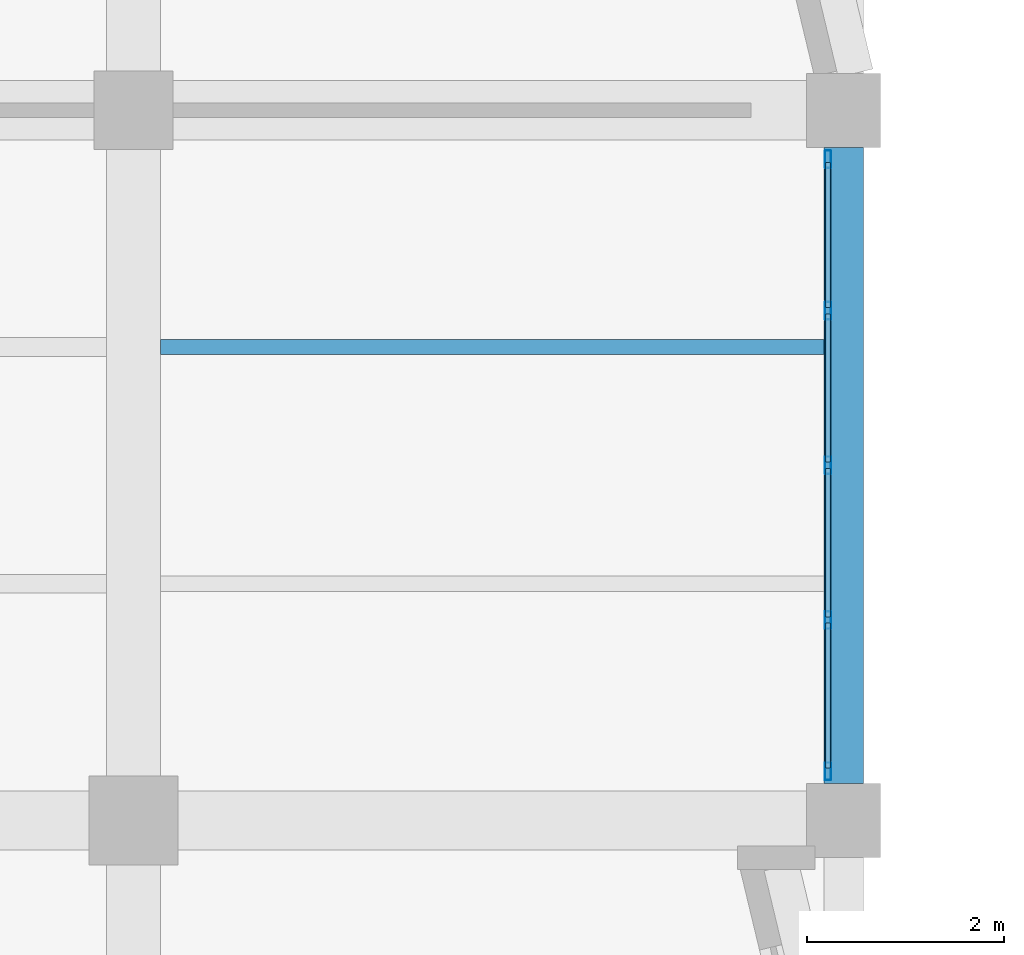
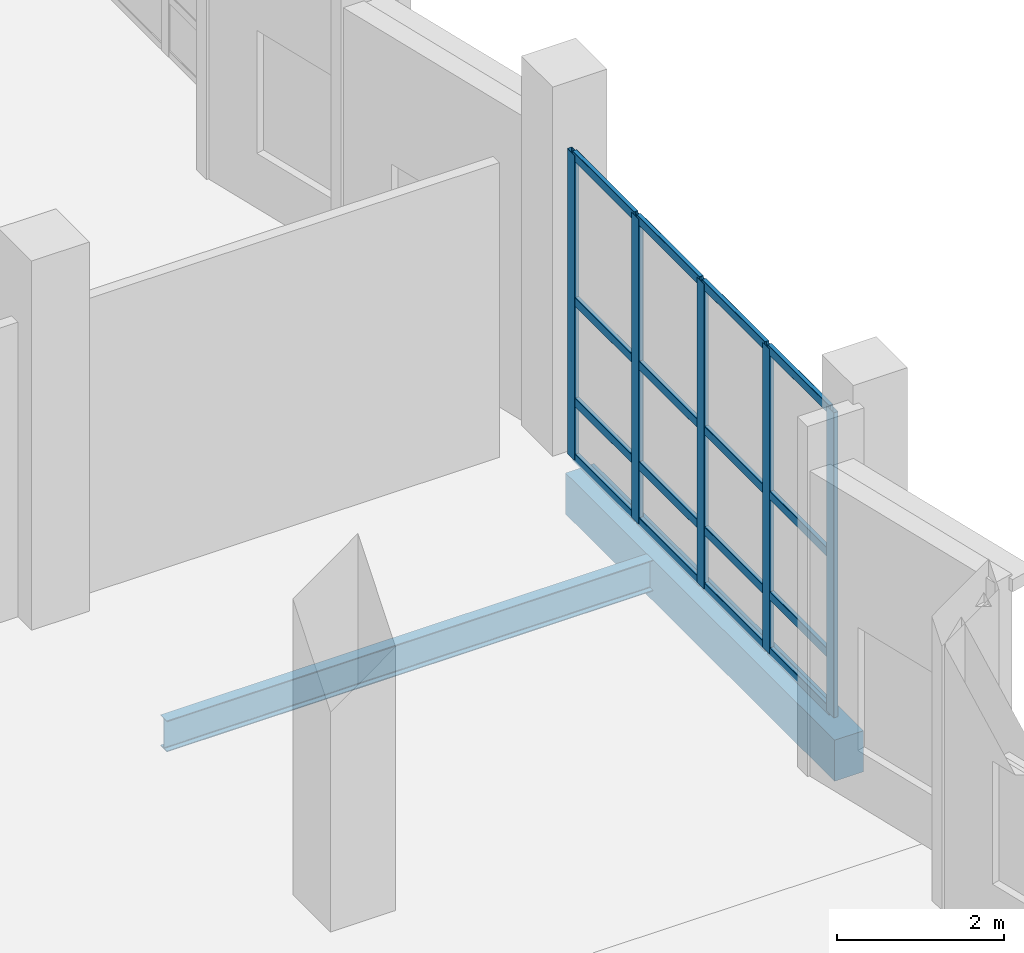
# One storey, part 44 of 137: 21 members, 2 beams, 1 element without a shape of its own.
"""IFC4 building model written with IfcOpenShell, lengths in metres."""

import ifcopenshell
import ifcopenshell.guid

model = None  # the IFC model being written
_history = None  # IfcOwnerHistory: only IFC2X3 demands one
_inside = {}  # id of a spatial element -> (the spatial element, [elements in it])
_under = {}  # id of a project, library or spatial element -> (it, [spatial elements below it])
_declared = {}  # id of a project -> (the project, [libraries it declares])
_typed = {}  # id of a type object -> (the type object, [elements of that type])
_made_of = {}  # id of a material, layer set ... -> (it, [elements and type objects made of it])


def new_model(schema):
    """Start an empty IFC model of exactly this schema.

    Asked for "IFC4X3", IfcOpenShell would pick the latest addendum, in which some entities
    have other attributes; the version numbers below select the first issue.
    IFC2X3 requires an IfcOwnerHistory on every rooted entity: one is made here for all.
    """
    global model, _history
    if schema == "IFC4X3":
        model = ifcopenshell.file(schema_version=(4, 3, 0, 0))
    else:
        model = ifcopenshell.file(schema=schema)
    _inside.clear()
    _under.clear()
    _declared.clear()
    _typed.clear()
    _made_of.clear()
    _history = None
    if model.schema == "IFC2X3":
        org = make("IfcOrganization", Name="unknown")
        user = make(
            "IfcPersonAndOrganization",
            ThePerson=make("IfcPerson", FamilyName="unknown"),
            TheOrganization=org,
        )
        app = make(
            "IfcApplication",
            ApplicationDeveloper=org,
            Version="unknown",
            ApplicationFullName="unknown",
            ApplicationIdentifier="unknown",
        )
        _history = make(
            "IfcOwnerHistory",
            OwningUser=user,
            OwningApplication=app,
            ChangeAction="ADDED",
            CreationDate=0,
        )
    return model


def make(cls, **values):
    """One entity of the class cls with the attributes given. An attribute that is None is left unset."""
    return model.create_entity(
        cls, **{name: value for name, value in values.items() if value is not None}
    )


def rooted(cls, **values):
    """An entity with a GlobalId (a new one), such as an element, a storey or a relation."""
    return make(cls, GlobalId=ifcopenshell.guid.new(), OwnerHistory=_history, **values)


def si_unit(unit_type, name, prefix=None):
    """IfcSIUnit, for example si_unit("LENGTHUNIT", "METRE", prefix="MILLI")."""
    return make("IfcSIUnit", UnitType=unit_type, Prefix=prefix, Name=name)


def assignment(units):
    """IfcUnitAssignment: the units of a project."""
    return None if units is None else make("IfcUnitAssignment", Units=units)


def point(xyz):
    """IfcCartesianPoint."""
    return None if xyz is None else make("IfcCartesianPoint", Coordinates=xyz)


def direction(xyz):
    """IfcDirection."""
    return None if xyz is None else make("IfcDirection", DirectionRatios=xyz)


def frame(location, z_axis=None, x_axis=None):
    """IfcAxis2Placement3D, a coordinate frame: its origin and axes. An axis left out is left unset."""
    return make(
        "IfcAxis2Placement3D",
        Location=point(location),
        Axis=direction(z_axis),
        RefDirection=direction(x_axis),
    )


def frame_2d(location, x_axis=None):
    """IfcAxis2Placement2D, a coordinate frame in the plane: its origin and x axis."""
    return make(
        "IfcAxis2Placement2D", Location=point(location), RefDirection=direction(x_axis)
    )


def origin():
    """The frame at (0, 0, 0) with its axes left unset."""
    return frame((0.0, 0.0, 0.0))


def origin_2d():
    """The frame at (0, 0) in the plane with its x axis left unset."""
    return frame_2d((0.0, 0.0))


def place(relative_to, where):
    """IfcLocalPlacement: puts the frame where relative to a parent placement (None: the world)."""
    return make(
        "IfcLocalPlacement", PlacementRelTo=relative_to, RelativePlacement=where
    )


def context(
    kind, dimensions, precision=None, world=None, true_north=None, identifier=None
):
    """IfcGeometricRepresentationContext, for example the 3D "Model" context."""
    return make(
        "IfcGeometricRepresentationContext",
        ContextIdentifier=identifier,
        ContextType=kind,
        CoordinateSpaceDimension=dimensions,
        Precision=precision,
        WorldCoordinateSystem=world,
        TrueNorth=true_north,
    )


def subcontext(parent, identifier, kind, view, scale=None):
    """IfcGeometricRepresentationSubContext, for example "Body" below "Model"."""
    return make(
        "IfcGeometricRepresentationSubContext",
        ContextIdentifier=identifier,
        ContextType=kind,
        ParentContext=parent,
        TargetScale=scale,
        TargetView=view,
    )


def project(units=None, contexts=None):
    """IfcProject with its units and contexts."""
    return rooted(
        "IfcProject",
        Name="project",
        RepresentationContexts=contexts,
        UnitsInContext=assignment(units),
    )


def spatial(cls, under=None, at=None, **own):
    """A site, building, storey or space (cls), placed at a placement, below another one or the project."""
    s = rooted(cls, ObjectPlacement=at, **own)
    if under is not None:
        _under.setdefault(under.id(), (under, []))[1].append(s)
    return s


def profile(cls, at=None, kind="AREA", **sizes):
    """A parametric profile (cls). Its sizes go by their IFC names, for example OverallWidth=200.0."""
    return make(cls, ProfileType=kind, Position=at, **sizes)


def rectangle(**sizes):
    """IfcRectangleProfileDef."""
    return profile("IfcRectangleProfileDef", **sizes)


def hollow_rectangle(**sizes):
    """IfcRectangleHollowProfileDef."""
    return profile("IfcRectangleHollowProfileDef", **sizes)


def i_section(**sizes):
    """IfcIShapeProfileDef."""
    return profile("IfcIShapeProfileDef", **sizes)


def extrude(swept, where, along, depth):
    """IfcExtrudedAreaSolid: the profile swept, set in the frame where, extruded along a direction by depth."""
    return make(
        "IfcExtrudedAreaSolid",
        SweptArea=swept,
        Position=where,
        ExtrudedDirection=direction(along),
        Depth=depth,
    )


def shape(context_of_items, identifier, shape_type, items):
    """IfcShapeRepresentation: the items that make up one representation, for example the "Body"."""
    return make(
        "IfcShapeRepresentation",
        ContextOfItems=context_of_items,
        RepresentationIdentifier=identifier,
        RepresentationType=shape_type,
        Items=items,
    )


def material(Name=None, Category=None):
    """IfcMaterial."""
    return make("IfcMaterial", Name=Name, Category=Category)


def material_profile(
    of_material, cross_section, Name=None, Category=None, Priority=None
):
    """IfcMaterialProfile: a cross section and its material."""
    return make(
        "IfcMaterialProfile",
        Name=Name,
        Material=of_material,
        Profile=cross_section,
        Priority=Priority,
        Category=Category,
    )


def profile_set(profiles, Name=None, composite=None):
    """IfcMaterialProfileSet."""
    return make(
        "IfcMaterialProfileSet",
        Name=Name,
        MaterialProfiles=profiles,
        CompositeProfile=composite,
    )


def made_of(thing, what):
    """Note that an element or type object is made of a material, layer set ...; save() writes the relation."""
    if what is not None:
        _made_of.setdefault(what.id(), (what, []))[1].append(thing)
    return thing


def type_object(cls, material=None, **own):
    """A type object (cls), such as IfcWallType, which elements share."""
    return made_of(rooted(cls, **own), material)


def element(
    cls,
    number,
    at=None,
    inside=None,
    cuts=None,
    type_object=None,
    material=None,
    context=None,
    identifier="Body",
    shape_type=None,
    held_by="IfcProductDefinitionShape",
    body=None,
    shapes=None,
    **own,
):
    """One element of the class cls, such as IfcWall. Its Tag is "e" and its number.

    at: its placement. inside: the storey or other place that contains it. cuts: it is an
    opening in that element (IfcRelVoidsElement). A single representation is given by context,
    identifier, shape_type and body (its items); several are given by shapes. held_by: the class
    of the entity that holds the representations. save() writes the other relations.
    """
    e = rooted(cls, Tag="e%d" % number, ObjectPlacement=at, **own)
    if body is not None:
        shapes = [shape(context, identifier, shape_type, body)]
    if shapes is not None:
        e.Representation = make(held_by, Representations=shapes)
    if inside is not None:
        _inside.setdefault(inside.id(), (inside, []))[1].append(e)
    if cuts is not None:
        rooted(
            "IfcRelVoidsElement", RelatingBuildingElement=cuts, RelatedOpeningElement=e
        )
    if type_object is not None:
        _typed.setdefault(type_object.id(), (type_object, []))[1].append(e)
    return made_of(e, material)


def aggregate(whole, parts):
    """IfcRelAggregates: a whole, such as a stair, and the parts it consists of."""
    return rooted("IfcRelAggregates", RelatingObject=whole, RelatedObjects=parts)


def save(model, path):
    """Write the relations noted so far, then the file.

    IfcRelAggregates (storeys below a building ...), IfcRelContainedInSpatialStructure (elements
    in a storey), IfcRelDefinesByType, IfcRelAssociatesMaterial and IfcRelDeclares: one each for
    every whole, place, type object, material and project.
    """
    for whole, parts in _under.values():
        aggregate(whole, parts)
    for where, things in _inside.values():
        rooted(
            "IfcRelContainedInSpatialStructure",
            RelatedElements=things,
            RelatingStructure=where,
        )
    for kind, things in _typed.values():
        rooted("IfcRelDefinesByType", RelatedObjects=things, RelatingType=kind)
    for what, things in _made_of.values():
        rooted("IfcRelAssociatesMaterial", RelatedObjects=things, RelatingMaterial=what)
    for by, libraries in _declared.values():
        rooted("IfcRelDeclares", RelatingContext=by, RelatedDefinitions=libraries)
    model.write(path)


model = new_model("IFC4")

# Units and contexts
model_context = context("Model", 3, precision=1e-05, world=origin(), true_north=direction((0.0, 1.0)))
body_context = subcontext(model_context, "Body", "Model", "MODEL_VIEW")
ifc_project = project(units=[si_unit("LENGTHUNIT", "METRE"), si_unit("AREAUNIT", "SQUARE_METRE"), si_unit("VOLUMEUNIT", "CUBIC_METRE"), si_unit("PLANEANGLEUNIT", "RADIAN"), si_unit("MASSUNIT", "GRAM", prefix="KILO")], contexts=[model_context])

# Site, building, storey
site_placement = place(None, origin())
site = spatial("IfcSite", under=ifc_project, at=site_placement, CompositionType="ELEMENT")
building_placement = place(site_placement, origin())
building = spatial("IfcBuilding", under=site, at=building_placement, Name="Kalmorath City Hall", CompositionType="ELEMENT")
storey_placement = place(building_placement, origin())
storey = spatial("IfcBuildingStorey", under=building, at=storey_placement, Name="L00", CompositionType="ELEMENT", Elevation=0.0)

# Beam
ifc_material_1 = material(Name="Concrete C40/50", Category="concrete")
ifc_material_profile_1 = material_profile(ifc_material_1, rectangle(XDim=0.39990234375, YDim=0.60009765625, at=origin_2d()), Name="RC-BM-400X600")
ifc_profile_set_1 = profile_set([ifc_material_profile_1], Name="Concrete C40/50")
beam_type_1 = type_object("IfcBeamType", Name="Concrete edge beam 400x600", PredefinedType="SPANDREL", material=ifc_profile_set_1)
beam_1_placement = place(storey_placement, frame((28.800048828125, 65.175048828125, -0.60400390625), z_axis=(0.0, 1.0, 0.0), x_axis=(-1.0, 0.0, 0.0)))
element("IfcBeam", 1, at=beam_1_placement, inside=storey, type_object=beam_type_1, Name="L00 girder CB6 Y5/10-11", PredefinedType="SPANDREL", context=body_context, shape_type="SweptSolid", body=[
    extrude(rectangle(XDim=0.39990234375, YDim=0.60009765625, at=origin_2d()), origin(), (0.0, 0.0, 1.0), 6.449951171875),
])

# Curtain wall, members
ifc_material_2 = material(Name="Anodised aluminium and laminated glass", Category="aluminium")
curtain_wall_type = type_object("IfcCurtainWallType", Name="Unitised hurricane curtain wall 6270x4461 M1600", PredefinedType="NOTDEFINED", material=ifc_material_2)
curtain_wall_placement = place(storey_placement, origin())
curtain_wall = element("IfcCurtainWall", 2, at=curtain_wall_placement, inside=storey, type_object=curtain_wall_type, Name="L00 curtain wall CW-63X45M16 #56", PredefinedType="NOTDEFINED")
ifc_material_3 = material(Name="Anodised aluminium framing", Category="aluminium")
ifc_material_profile_2 = material_profile(ifc_material_3, hollow_rectangle(XDim=0.06494140625, YDim=0.179931640625, WallThickness=0.00390625, InnerFilletRadius=0.00390625, OuterFilletRadius=0.008056640625, at=origin_2d()), Name="ALU-MUL-180X65X4")
ifc_profile_set_2 = profile_set([ifc_material_profile_2], Name="Anodised aluminium framing")
member_type_1 = type_object("IfcMemberType", Name="Curtain-wall courtyard mullion 180x65", PredefinedType="MULLION", material=ifc_profile_set_2)
member_1_placement = place(storey_placement, frame((28.639892578125, 71.50244140625, 0.0), z_axis=(0.0, 0.0, 1.0), x_axis=(1.0, 0.0, 0.0)))
member_1 = element("IfcMember", 3, at=member_1_placement, type_object=member_type_1, Name="CW-63X45M16 mullion 1", PredefinedType="MULLION", context=body_context, shape_type="SweptSolid", body=[
    extrude(hollow_rectangle(XDim=0.06494140625, YDim=0.179931640625, WallThickness=0.00390625, InnerFilletRadius=0.00390625, OuterFilletRadius=0.008056640625, at=origin_2d()), origin(), (0.0, 0.0, 1.0), 4.4609375),
])
member_2_placement = place(storey_placement, frame((28.639892578125, 69.967529296875, 0.0), z_axis=(0.0, 0.0, 1.0), x_axis=(1.0, 0.0, 0.0)))
member_2 = element("IfcMember", 4, at=member_2_placement, type_object=member_type_1, Name="CW-63X45M16 mullion 2", PredefinedType="MULLION", context=body_context, shape_type="SweptSolid", body=[
    extrude(hollow_rectangle(XDim=0.06494140625, YDim=0.179931640625, WallThickness=0.00390625, InnerFilletRadius=0.00390625, OuterFilletRadius=0.008056640625, at=origin_2d()), origin(), (0.0, 0.0, 1.0), 4.4609375),
])
member_3_placement = place(storey_placement, frame((28.639892578125, 68.39990234375, 0.0), z_axis=(0.0, 0.0, 1.0), x_axis=(1.0, 0.0, 0.0)))
member_3 = element("IfcMember", 5, at=member_3_placement, type_object=member_type_1, Name="CW-63X45M16 mullion 3", PredefinedType="MULLION", context=body_context, shape_type="SweptSolid", body=[
    extrude(hollow_rectangle(XDim=0.06494140625, YDim=0.179931640625, WallThickness=0.00390625, InnerFilletRadius=0.00390625, OuterFilletRadius=0.008056640625, at=origin_2d()), origin(), (0.0, 0.0, 1.0), 4.4609375),
])
member_4_placement = place(storey_placement, frame((28.639892578125, 66.83251953125, 0.0), z_axis=(0.0, 0.0, 1.0), x_axis=(1.0, 0.0, 0.0)))
member_4 = element("IfcMember", 6, at=member_4_placement, type_object=member_type_1, Name="CW-63X45M16 mullion 4", PredefinedType="MULLION", context=body_context, shape_type="SweptSolid", body=[
    extrude(hollow_rectangle(XDim=0.06494140625, YDim=0.179931640625, WallThickness=0.00390625, InnerFilletRadius=0.00390625, OuterFilletRadius=0.008056640625, at=origin_2d()), origin(), (0.0, 0.0, 1.0), 4.4609375),
])
member_5_placement = place(storey_placement, frame((28.639892578125, 65.297607421875, 0.0), z_axis=(0.0, 0.0, 1.0), x_axis=(1.0, 0.0, 0.0)))
member_5 = element("IfcMember", 7, at=member_5_placement, type_object=member_type_1, Name="CW-63X45M16 mullion 5", PredefinedType="MULLION", context=body_context, shape_type="SweptSolid", body=[
    extrude(hollow_rectangle(XDim=0.06494140625, YDim=0.179931640625, WallThickness=0.00390625, InnerFilletRadius=0.00390625, OuterFilletRadius=0.008056640625, at=origin_2d()), origin(), (0.0, 0.0, 1.0), 4.4609375),
])
ifc_material_4 = material(Name="Anodised aluminium framing", Category="aluminium")
ifc_material_profile_3 = material_profile(ifc_material_4, hollow_rectangle(XDim=0.06005859375, YDim=0.1298828125, WallThickness=0.00341796875, InnerFilletRadius=0.00341796875, OuterFilletRadius=0.007080078125, at=origin_2d()), Name="ALU-TRN-130X60X3.5")
ifc_profile_set_3 = profile_set([ifc_material_profile_3], Name="Anodised aluminium framing")
member_type_2 = type_object("IfcMemberType", Name="Curtain-wall courtyard transom 130x60", PredefinedType="USERDEFINED", material=ifc_profile_set_3)
member_6_placement = place(storey_placement, frame((28.639892578125, 71.469970703125, 0.030029296875), z_axis=(0.0, -1.0, 0.0), x_axis=(1.0, 0.0, 0.0)))
member_6 = element("IfcMember", 8, at=member_6_placement, type_object=member_type_2, Name="CW-63X45M16 transom 1.1", ObjectType="TRANSOM", PredefinedType="USERDEFINED", context=body_context, shape_type="SweptSolid", body=[
    extrude(hollow_rectangle(XDim=0.06005859375, YDim=0.1298828125, WallThickness=0.00341796875, InnerFilletRadius=0.00341796875, OuterFilletRadius=0.007080078125, at=origin_2d()), origin(), (0.0, 0.0, 1.0), 1.469970703125),
])
member_7_placement = place(storey_placement, frame((28.639892578125, 71.469970703125, 0.85009765625), z_axis=(0.0, -1.0, 0.0), x_axis=(1.0, 0.0, 0.0)))
member_7 = element("IfcMember", 9, at=member_7_placement, type_object=member_type_2, Name="CW-63X45M16 transom 1.2", ObjectType="TRANSOM", PredefinedType="USERDEFINED", context=body_context, shape_type="SweptSolid", body=[
    extrude(hollow_rectangle(XDim=0.06005859375, YDim=0.1298828125, WallThickness=0.00341796875, InnerFilletRadius=0.00341796875, OuterFilletRadius=0.007080078125, at=origin_2d()), origin(), (0.0, 0.0, 1.0), 1.469970703125),
])
member_8_placement = place(storey_placement, frame((28.639892578125, 71.469970703125, 2.320068359375), z_axis=(0.0, -1.0, 0.0), x_axis=(1.0, 0.0, 0.0)))
member_8 = element("IfcMember", 10, at=member_8_placement, type_object=member_type_2, Name="CW-63X45M16 transom 1.3", ObjectType="TRANSOM", PredefinedType="USERDEFINED", context=body_context, shape_type="SweptSolid", body=[
    extrude(hollow_rectangle(XDim=0.06005859375, YDim=0.1298828125, WallThickness=0.00341796875, InnerFilletRadius=0.00341796875, OuterFilletRadius=0.007080078125, at=origin_2d()), origin(), (0.0, 0.0, 1.0), 1.469970703125),
])
member_9_placement = place(storey_placement, frame((28.639892578125, 71.469970703125, 4.430908203125), z_axis=(0.0, -1.0, 0.0), x_axis=(1.0, 0.0, 0.0)))
member_9 = element("IfcMember", 11, at=member_9_placement, type_object=member_type_2, Name="CW-63X45M16 transom 1.4", ObjectType="TRANSOM", PredefinedType="USERDEFINED", context=body_context, shape_type="SweptSolid", body=[
    extrude(hollow_rectangle(XDim=0.06005859375, YDim=0.1298828125, WallThickness=0.00341796875, InnerFilletRadius=0.00341796875, OuterFilletRadius=0.007080078125, at=origin_2d()), origin(), (0.0, 0.0, 1.0), 1.469970703125),
])
member_10_placement = place(storey_placement, frame((28.639892578125, 69.93505859375, 0.030029296875), z_axis=(0.0, -1.0, 0.0), x_axis=(1.0, 0.0, 0.0)))
member_10 = element("IfcMember", 12, at=member_10_placement, type_object=member_type_2, Name="CW-63X45M16 transom 2.1", ObjectType="TRANSOM", PredefinedType="USERDEFINED", context=body_context, shape_type="SweptSolid", body=[
    extrude(hollow_rectangle(XDim=0.06005859375, YDim=0.1298828125, WallThickness=0.00341796875, InnerFilletRadius=0.00341796875, OuterFilletRadius=0.007080078125, at=origin_2d()), origin(), (0.0, 0.0, 1.0), 1.50244140625),
])
member_11_placement = place(storey_placement, frame((28.639892578125, 69.93505859375, 0.85009765625), z_axis=(0.0, -1.0, 0.0), x_axis=(1.0, 0.0, 0.0)))
member_11 = element("IfcMember", 13, at=member_11_placement, type_object=member_type_2, Name="CW-63X45M16 transom 2.2", ObjectType="TRANSOM", PredefinedType="USERDEFINED", context=body_context, shape_type="SweptSolid", body=[
    extrude(hollow_rectangle(XDim=0.06005859375, YDim=0.1298828125, WallThickness=0.00341796875, InnerFilletRadius=0.00341796875, OuterFilletRadius=0.007080078125, at=origin_2d()), origin(), (0.0, 0.0, 1.0), 1.50244140625),
])
member_12_placement = place(storey_placement, frame((28.639892578125, 69.93505859375, 2.320068359375), z_axis=(0.0, -1.0, 0.0), x_axis=(1.0, 0.0, 0.0)))
member_12 = element("IfcMember", 14, at=member_12_placement, type_object=member_type_2, Name="CW-63X45M16 transom 2.3", ObjectType="TRANSOM", PredefinedType="USERDEFINED", context=body_context, shape_type="SweptSolid", body=[
    extrude(hollow_rectangle(XDim=0.06005859375, YDim=0.1298828125, WallThickness=0.00341796875, InnerFilletRadius=0.00341796875, OuterFilletRadius=0.007080078125, at=origin_2d()), origin(), (0.0, 0.0, 1.0), 1.50244140625),
])
member_13_placement = place(storey_placement, frame((28.639892578125, 69.93505859375, 4.430908203125), z_axis=(0.0, -1.0, 0.0), x_axis=(1.0, 0.0, 0.0)))
member_13 = element("IfcMember", 15, at=member_13_placement, type_object=member_type_2, Name="CW-63X45M16 transom 2.4", ObjectType="TRANSOM", PredefinedType="USERDEFINED", context=body_context, shape_type="SweptSolid", body=[
    extrude(hollow_rectangle(XDim=0.06005859375, YDim=0.1298828125, WallThickness=0.00341796875, InnerFilletRadius=0.00341796875, OuterFilletRadius=0.007080078125, at=origin_2d()), origin(), (0.0, 0.0, 1.0), 1.50244140625),
])
member_14_placement = place(storey_placement, frame((28.639892578125, 68.367431640625, 0.030029296875), z_axis=(0.0, -1.0, 0.0), x_axis=(1.0, 0.0, 0.0)))
member_14 = element("IfcMember", 16, at=member_14_placement, type_object=member_type_2, Name="CW-63X45M16 transom 3.1", ObjectType="TRANSOM", PredefinedType="USERDEFINED", context=body_context, shape_type="SweptSolid", body=[
    extrude(hollow_rectangle(XDim=0.06005859375, YDim=0.1298828125, WallThickness=0.00341796875, InnerFilletRadius=0.00341796875, OuterFilletRadius=0.007080078125, at=origin_2d()), origin(), (0.0, 0.0, 1.0), 1.50244140625),
])
member_15_placement = place(storey_placement, frame((28.639892578125, 68.367431640625, 0.85009765625), z_axis=(0.0, -1.0, 0.0), x_axis=(1.0, 0.0, 0.0)))
member_15 = element("IfcMember", 17, at=member_15_placement, type_object=member_type_2, Name="CW-63X45M16 transom 3.2", ObjectType="TRANSOM", PredefinedType="USERDEFINED", context=body_context, shape_type="SweptSolid", body=[
    extrude(hollow_rectangle(XDim=0.06005859375, YDim=0.1298828125, WallThickness=0.00341796875, InnerFilletRadius=0.00341796875, OuterFilletRadius=0.007080078125, at=origin_2d()), origin(), (0.0, 0.0, 1.0), 1.50244140625),
])
member_16_placement = place(storey_placement, frame((28.639892578125, 68.367431640625, 2.320068359375), z_axis=(0.0, -1.0, 0.0), x_axis=(1.0, 0.0, 0.0)))
member_16 = element("IfcMember", 18, at=member_16_placement, type_object=member_type_2, Name="CW-63X45M16 transom 3.3", ObjectType="TRANSOM", PredefinedType="USERDEFINED", context=body_context, shape_type="SweptSolid", body=[
    extrude(hollow_rectangle(XDim=0.06005859375, YDim=0.1298828125, WallThickness=0.00341796875, InnerFilletRadius=0.00341796875, OuterFilletRadius=0.007080078125, at=origin_2d()), origin(), (0.0, 0.0, 1.0), 1.50244140625),
])
member_17_placement = place(storey_placement, frame((28.639892578125, 68.367431640625, 4.430908203125), z_axis=(0.0, -1.0, 0.0), x_axis=(1.0, 0.0, 0.0)))
member_17 = element("IfcMember", 19, at=member_17_placement, type_object=member_type_2, Name="CW-63X45M16 transom 3.4", ObjectType="TRANSOM", PredefinedType="USERDEFINED", context=body_context, shape_type="SweptSolid", body=[
    extrude(hollow_rectangle(XDim=0.06005859375, YDim=0.1298828125, WallThickness=0.00341796875, InnerFilletRadius=0.00341796875, OuterFilletRadius=0.007080078125, at=origin_2d()), origin(), (0.0, 0.0, 1.0), 1.50244140625),
])
member_18_placement = place(storey_placement, frame((28.639892578125, 66.800048828125, 0.030029296875), z_axis=(0.0, -1.0, 0.0), x_axis=(1.0, 0.0, 0.0)))
member_18 = element("IfcMember", 20, at=member_18_placement, type_object=member_type_2, Name="CW-63X45M16 transom 4.1", ObjectType="TRANSOM", PredefinedType="USERDEFINED", context=body_context, shape_type="SweptSolid", body=[
    extrude(hollow_rectangle(XDim=0.06005859375, YDim=0.1298828125, WallThickness=0.00341796875, InnerFilletRadius=0.00341796875, OuterFilletRadius=0.007080078125, at=origin_2d()), origin(), (0.0, 0.0, 1.0), 1.469970703125),
])
member_19_placement = place(storey_placement, frame((28.639892578125, 66.800048828125, 0.85009765625), z_axis=(0.0, -1.0, 0.0), x_axis=(1.0, 0.0, 0.0)))
member_19 = element("IfcMember", 21, at=member_19_placement, type_object=member_type_2, Name="CW-63X45M16 transom 4.2", ObjectType="TRANSOM", PredefinedType="USERDEFINED", context=body_context, shape_type="SweptSolid", body=[
    extrude(hollow_rectangle(XDim=0.06005859375, YDim=0.1298828125, WallThickness=0.00341796875, InnerFilletRadius=0.00341796875, OuterFilletRadius=0.007080078125, at=origin_2d()), origin(), (0.0, 0.0, 1.0), 1.469970703125),
])
member_20_placement = place(storey_placement, frame((28.639892578125, 66.800048828125, 2.320068359375), z_axis=(0.0, -1.0, 0.0), x_axis=(1.0, 0.0, 0.0)))
member_20 = element("IfcMember", 22, at=member_20_placement, type_object=member_type_2, Name="CW-63X45M16 transom 4.3", ObjectType="TRANSOM", PredefinedType="USERDEFINED", context=body_context, shape_type="SweptSolid", body=[
    extrude(hollow_rectangle(XDim=0.06005859375, YDim=0.1298828125, WallThickness=0.00341796875, InnerFilletRadius=0.00341796875, OuterFilletRadius=0.007080078125, at=origin_2d()), origin(), (0.0, 0.0, 1.0), 1.469970703125),
])
member_21_placement = place(storey_placement, frame((28.639892578125, 66.800048828125, 4.430908203125), z_axis=(0.0, -1.0, 0.0), x_axis=(1.0, 0.0, 0.0)))
member_21 = element("IfcMember", 23, at=member_21_placement, type_object=member_type_2, Name="CW-63X45M16 transom 4.4", ObjectType="TRANSOM", PredefinedType="USERDEFINED", context=body_context, shape_type="SweptSolid", body=[
    extrude(hollow_rectangle(XDim=0.06005859375, YDim=0.1298828125, WallThickness=0.00341796875, InnerFilletRadius=0.00341796875, OuterFilletRadius=0.007080078125, at=origin_2d()), origin(), (0.0, 0.0, 1.0), 1.469970703125),
])
aggregate(curtain_wall, [member_1, member_2, member_3, member_4, member_5, member_6, member_7, member_8, member_9, member_10, member_11, member_12, member_13, member_14, member_15, member_16, member_17, member_18, member_19, member_20, member_21])

# Beam
ifc_material_5 = material(Name="Steel ASTM A992 Grade 50", Category="steel")
ifc_material_profile_4 = material_profile(ifc_material_5, i_section(OverallWidth=0.153076171875, OverallDepth=0.455078125, WebThickness=0.008056640625, FlangeThickness=0.01318359375, FilletRadius=0.013916015625, at=origin_2d()), Name="W18X40")
ifc_profile_set_4 = profile_set([ifc_material_profile_4], Name="Steel ASTM A992 Grade 50")
beam_type_2 = type_object("IfcBeamType", Name="Steel composite joist W18X40", PredefinedType="JOIST", material=ifc_profile_set_4)
beam_2_placement = place(storey_placement, frame((21.875, 69.60009765625, -0.531494140625), z_axis=(1.0, 0.0, 0.0), x_axis=(0.0, 1.0, 0.0)))
element("IfcBeam", 24, at=beam_2_placement, inside=storey, type_object=beam_type_2, Name="L00 joist SJ4 4.10.2", PredefinedType="JOIST", context=body_context, shape_type="SweptSolid", body=[
    extrude(i_section(OverallWidth=0.153076171875, OverallDepth=0.455078125, WebThickness=0.008056640625, FlangeThickness=0.01318359375, FilletRadius=0.013916015625, at=origin_2d()), origin(), (0.0, 0.0, 1.0), 6.72509765625),
])

save(model, "model.ifc")
